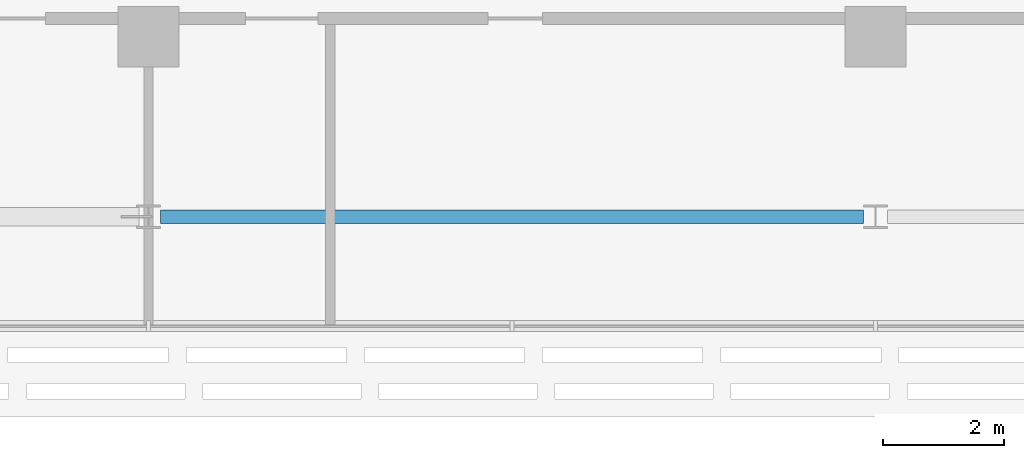
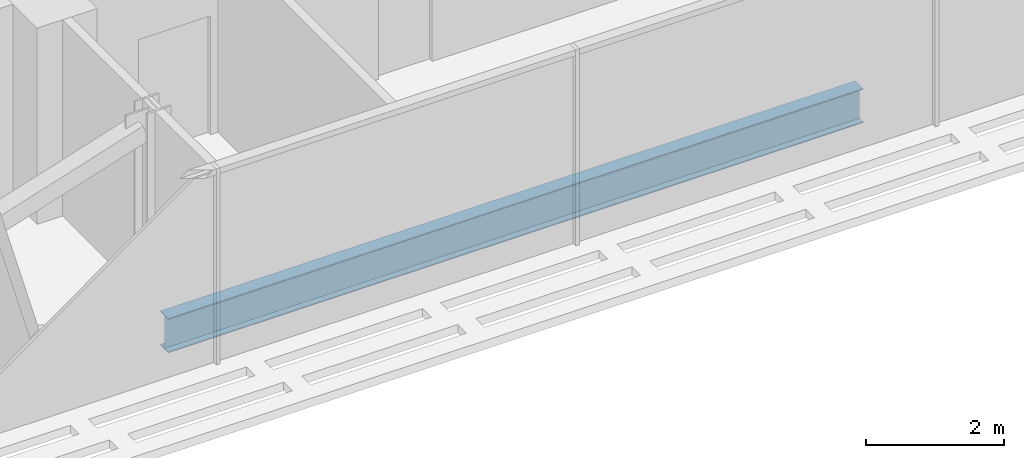
# One storey, part 6 of 32: 1 beam.
"""IFC4 building model written with IfcOpenShell, lengths in metres."""

import ifcopenshell
import ifcopenshell.guid

model = None  # the IFC model being written
_history = None  # IfcOwnerHistory: only IFC2X3 demands one
_inside = {}  # id of a spatial element -> (the spatial element, [elements in it])
_under = {}  # id of a project, library or spatial element -> (it, [spatial elements below it])
_declared = {}  # id of a project -> (the project, [libraries it declares])
_typed = {}  # id of a type object -> (the type object, [elements of that type])
_made_of = {}  # id of a material, layer set ... -> (it, [elements and type objects made of it])


def new_model(schema):
    """Start an empty IFC model of exactly this schema.

    Asked for "IFC4X3", IfcOpenShell would pick the latest addendum, in which some entities
    have other attributes; the version numbers below select the first issue.
    IFC2X3 requires an IfcOwnerHistory on every rooted entity: one is made here for all.
    """
    global model, _history
    if schema == "IFC4X3":
        model = ifcopenshell.file(schema_version=(4, 3, 0, 0))
    else:
        model = ifcopenshell.file(schema=schema)
    _inside.clear()
    _under.clear()
    _declared.clear()
    _typed.clear()
    _made_of.clear()
    _history = None
    if model.schema == "IFC2X3":
        org = make("IfcOrganization", Name="unknown")
        user = make(
            "IfcPersonAndOrganization",
            ThePerson=make("IfcPerson", FamilyName="unknown"),
            TheOrganization=org,
        )
        app = make(
            "IfcApplication",
            ApplicationDeveloper=org,
            Version="unknown",
            ApplicationFullName="unknown",
            ApplicationIdentifier="unknown",
        )
        _history = make(
            "IfcOwnerHistory",
            OwningUser=user,
            OwningApplication=app,
            ChangeAction="ADDED",
            CreationDate=0,
        )
    return model


def make(cls, **values):
    """One entity of the class cls with the attributes given. An attribute that is None is left unset."""
    return model.create_entity(
        cls, **{name: value for name, value in values.items() if value is not None}
    )


def rooted(cls, **values):
    """An entity with a GlobalId (a new one), such as an element, a storey or a relation."""
    return make(cls, GlobalId=ifcopenshell.guid.new(), OwnerHistory=_history, **values)


def si_unit(unit_type, name, prefix=None):
    """IfcSIUnit, for example si_unit("LENGTHUNIT", "METRE", prefix="MILLI")."""
    return make("IfcSIUnit", UnitType=unit_type, Prefix=prefix, Name=name)


def assignment(units):
    """IfcUnitAssignment: the units of a project."""
    return None if units is None else make("IfcUnitAssignment", Units=units)


def point(xyz):
    """IfcCartesianPoint."""
    return None if xyz is None else make("IfcCartesianPoint", Coordinates=xyz)


def direction(xyz):
    """IfcDirection."""
    return None if xyz is None else make("IfcDirection", DirectionRatios=xyz)


def frame(location, z_axis=None, x_axis=None):
    """IfcAxis2Placement3D, a coordinate frame: its origin and axes. An axis left out is left unset."""
    return make(
        "IfcAxis2Placement3D",
        Location=point(location),
        Axis=direction(z_axis),
        RefDirection=direction(x_axis),
    )


def frame_2d(location, x_axis=None):
    """IfcAxis2Placement2D, a coordinate frame in the plane: its origin and x axis."""
    return make(
        "IfcAxis2Placement2D", Location=point(location), RefDirection=direction(x_axis)
    )


def origin():
    """The frame at (0, 0, 0) with its axes left unset."""
    return frame((0.0, 0.0, 0.0))


def origin_2d():
    """The frame at (0, 0) in the plane with its x axis left unset."""
    return frame_2d((0.0, 0.0))


def place(relative_to, where):
    """IfcLocalPlacement: puts the frame where relative to a parent placement (None: the world)."""
    return make(
        "IfcLocalPlacement", PlacementRelTo=relative_to, RelativePlacement=where
    )


def context(
    kind, dimensions, precision=None, world=None, true_north=None, identifier=None
):
    """IfcGeometricRepresentationContext, for example the 3D "Model" context."""
    return make(
        "IfcGeometricRepresentationContext",
        ContextIdentifier=identifier,
        ContextType=kind,
        CoordinateSpaceDimension=dimensions,
        Precision=precision,
        WorldCoordinateSystem=world,
        TrueNorth=true_north,
    )


def subcontext(parent, identifier, kind, view, scale=None):
    """IfcGeometricRepresentationSubContext, for example "Body" below "Model"."""
    return make(
        "IfcGeometricRepresentationSubContext",
        ContextIdentifier=identifier,
        ContextType=kind,
        ParentContext=parent,
        TargetScale=scale,
        TargetView=view,
    )


def project(units=None, contexts=None):
    """IfcProject with its units and contexts."""
    return rooted(
        "IfcProject",
        Name="project",
        RepresentationContexts=contexts,
        UnitsInContext=assignment(units),
    )


def spatial(cls, under=None, at=None, **own):
    """A site, building, storey or space (cls), placed at a placement, below another one or the project."""
    s = rooted(cls, ObjectPlacement=at, **own)
    if under is not None:
        _under.setdefault(under.id(), (under, []))[1].append(s)
    return s


def profile(cls, at=None, kind="AREA", **sizes):
    """A parametric profile (cls). Its sizes go by their IFC names, for example OverallWidth=200.0."""
    return make(cls, ProfileType=kind, Position=at, **sizes)


def i_section(**sizes):
    """IfcIShapeProfileDef."""
    return profile("IfcIShapeProfileDef", **sizes)


def extrude(swept, where, along, depth):
    """IfcExtrudedAreaSolid: the profile swept, set in the frame where, extruded along a direction by depth."""
    return make(
        "IfcExtrudedAreaSolid",
        SweptArea=swept,
        Position=where,
        ExtrudedDirection=direction(along),
        Depth=depth,
    )


def shape(context_of_items, identifier, shape_type, items):
    """IfcShapeRepresentation: the items that make up one representation, for example the "Body"."""
    return make(
        "IfcShapeRepresentation",
        ContextOfItems=context_of_items,
        RepresentationIdentifier=identifier,
        RepresentationType=shape_type,
        Items=items,
    )


def material(Name=None, Category=None):
    """IfcMaterial."""
    return make("IfcMaterial", Name=Name, Category=Category)


def material_profile(
    of_material, cross_section, Name=None, Category=None, Priority=None
):
    """IfcMaterialProfile: a cross section and its material."""
    return make(
        "IfcMaterialProfile",
        Name=Name,
        Material=of_material,
        Profile=cross_section,
        Priority=Priority,
        Category=Category,
    )


def profile_set(profiles, Name=None, composite=None):
    """IfcMaterialProfileSet."""
    return make(
        "IfcMaterialProfileSet",
        Name=Name,
        MaterialProfiles=profiles,
        CompositeProfile=composite,
    )


def made_of(thing, what):
    """Note that an element or type object is made of a material, layer set ...; save() writes the relation."""
    if what is not None:
        _made_of.setdefault(what.id(), (what, []))[1].append(thing)
    return thing


def type_object(cls, material=None, **own):
    """A type object (cls), such as IfcWallType, which elements share."""
    return made_of(rooted(cls, **own), material)


def element(
    cls,
    number,
    at=None,
    inside=None,
    cuts=None,
    type_object=None,
    material=None,
    context=None,
    identifier="Body",
    shape_type=None,
    held_by="IfcProductDefinitionShape",
    body=None,
    shapes=None,
    **own,
):
    """One element of the class cls, such as IfcWall. Its Tag is "e" and its number.

    at: its placement. inside: the storey or other place that contains it. cuts: it is an
    opening in that element (IfcRelVoidsElement). A single representation is given by context,
    identifier, shape_type and body (its items); several are given by shapes. held_by: the class
    of the entity that holds the representations. save() writes the other relations.
    """
    e = rooted(cls, Tag="e%d" % number, ObjectPlacement=at, **own)
    if body is not None:
        shapes = [shape(context, identifier, shape_type, body)]
    if shapes is not None:
        e.Representation = make(held_by, Representations=shapes)
    if inside is not None:
        _inside.setdefault(inside.id(), (inside, []))[1].append(e)
    if cuts is not None:
        rooted(
            "IfcRelVoidsElement", RelatingBuildingElement=cuts, RelatedOpeningElement=e
        )
    if type_object is not None:
        _typed.setdefault(type_object.id(), (type_object, []))[1].append(e)
    return made_of(e, material)


def aggregate(whole, parts):
    """IfcRelAggregates: a whole, such as a stair, and the parts it consists of."""
    return rooted("IfcRelAggregates", RelatingObject=whole, RelatedObjects=parts)


def save(model, path):
    """Write the relations noted so far, then the file.

    IfcRelAggregates (storeys below a building ...), IfcRelContainedInSpatialStructure (elements
    in a storey), IfcRelDefinesByType, IfcRelAssociatesMaterial and IfcRelDeclares: one each for
    every whole, place, type object, material and project.
    """
    for whole, parts in _under.values():
        aggregate(whole, parts)
    for where, things in _inside.values():
        rooted(
            "IfcRelContainedInSpatialStructure",
            RelatedElements=things,
            RelatingStructure=where,
        )
    for kind, things in _typed.values():
        rooted("IfcRelDefinesByType", RelatedObjects=things, RelatingType=kind)
    for what, things in _made_of.values():
        rooted("IfcRelAssociatesMaterial", RelatedObjects=things, RelatingMaterial=what)
    for by, libraries in _declared.values():
        rooted("IfcRelDeclares", RelatingContext=by, RelatedDefinitions=libraries)
    model.write(path)


model = new_model("IFC4")

# Units and contexts
model_context = context("Model", 3, precision=1e-05, world=origin(), true_north=direction((0.0, 1.0)))
body_context = subcontext(model_context, "Body", "Model", "MODEL_VIEW")
ifc_project = project(units=[si_unit("LENGTHUNIT", "METRE"), si_unit("AREAUNIT", "SQUARE_METRE"), si_unit("VOLUMEUNIT", "CUBIC_METRE"), si_unit("PLANEANGLEUNIT", "RADIAN"), si_unit("MASSUNIT", "GRAM", prefix="KILO")], contexts=[model_context])

# Site, building, storey
site_placement = place(None, origin())
site = spatial("IfcSite", under=ifc_project, at=site_placement, CompositionType="ELEMENT")
building_placement = place(site_placement, origin())
building = spatial("IfcBuilding", under=site, at=building_placement, Name="Mahtab Terrace Research Tower", CompositionType="ELEMENT")
storey_placement = place(building_placement, frame((0.0, 0.0, 236.199951171875)))
storey = spatial("IfcBuildingStorey", under=building, at=storey_placement, Name="L57", CompositionType="ELEMENT", Elevation=236.199951171875)

# Beam
ifc_material = material(Name="Steel ASTM A992 Gr 50", Category="steel")
ifc_material_profile = material_profile(ifc_material, i_section(OverallWidth=0.228271484375, OverallDepth=0.607177734375, WebThickness=0.01123046875, FlangeThickness=0.017333984375, at=origin_2d()), Name="W24X76")
ifc_profile_set = profile_set([ifc_material_profile], Name="Steel ASTM A992 Gr 50")
beam_type = type_object("IfcBeamType", Name="W24x76 beam BS2476", PredefinedType="BEAM", material=ifc_profile_set)
beam_placement = place(storey_placement, frame((-17.800537109375, -14.472900390625, -0.6435546875), z_axis=(1.0, 0.0, 0.0), x_axis=(0.0, 1.0, 0.0)))
element("IfcBeam", 1, at=beam_placement, inside=storey, type_object=beam_type, Name="Spandrel beam L57 14", PredefinedType="BEAM", context=body_context, shape_type="SweptSolid", body=[
    extrude(i_section(OverallWidth=0.228271484375, OverallDepth=0.607177734375, WebThickness=0.01123046875, FlangeThickness=0.017333984375, at=origin_2d()), origin(), (0.0, 0.0, 1.0), 11.60107421875),
])

save(model, "model.ifc")
